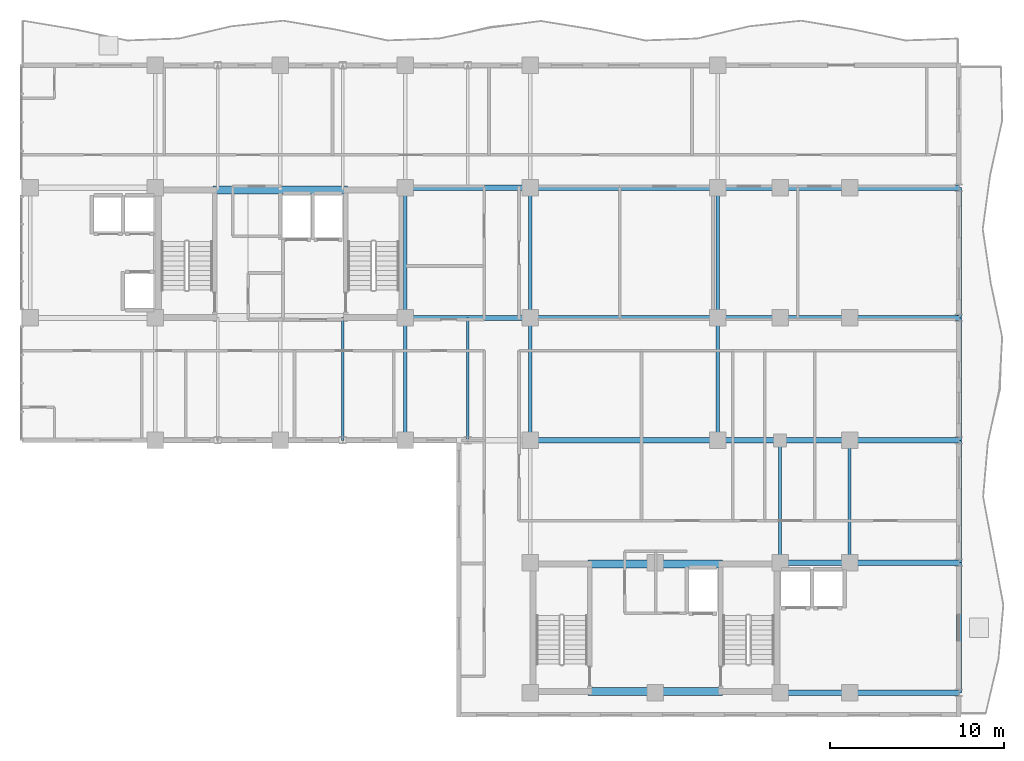
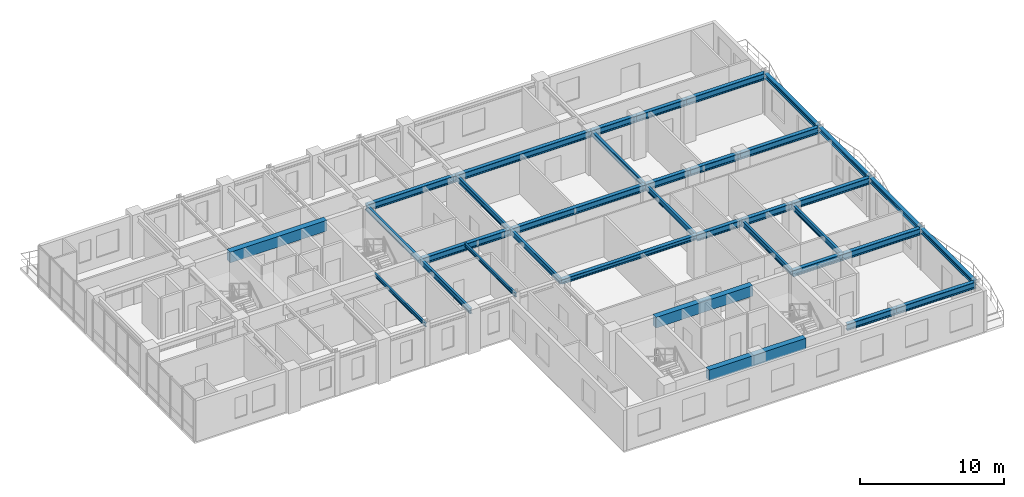
# One storey, part 9 of 20: 35 beams.
"""IFC4 building model written with IfcOpenShell, lengths in metres."""

import ifcopenshell
import ifcopenshell.guid

model = None  # the IFC model being written
_history = None  # IfcOwnerHistory: only IFC2X3 demands one
_inside = {}  # id of a spatial element -> (the spatial element, [elements in it])
_under = {}  # id of a project, library or spatial element -> (it, [spatial elements below it])
_declared = {}  # id of a project -> (the project, [libraries it declares])
_typed = {}  # id of a type object -> (the type object, [elements of that type])
_made_of = {}  # id of a material, layer set ... -> (it, [elements and type objects made of it])


def new_model(schema):
    """Start an empty IFC model of exactly this schema.

    Asked for "IFC4X3", IfcOpenShell would pick the latest addendum, in which some entities
    have other attributes; the version numbers below select the first issue.
    IFC2X3 requires an IfcOwnerHistory on every rooted entity: one is made here for all.
    """
    global model, _history
    if schema == "IFC4X3":
        model = ifcopenshell.file(schema_version=(4, 3, 0, 0))
    else:
        model = ifcopenshell.file(schema=schema)
    _inside.clear()
    _under.clear()
    _declared.clear()
    _typed.clear()
    _made_of.clear()
    _history = None
    if model.schema == "IFC2X3":
        org = make("IfcOrganization", Name="unknown")
        user = make(
            "IfcPersonAndOrganization",
            ThePerson=make("IfcPerson", FamilyName="unknown"),
            TheOrganization=org,
        )
        app = make(
            "IfcApplication",
            ApplicationDeveloper=org,
            Version="unknown",
            ApplicationFullName="unknown",
            ApplicationIdentifier="unknown",
        )
        _history = make(
            "IfcOwnerHistory",
            OwningUser=user,
            OwningApplication=app,
            ChangeAction="ADDED",
            CreationDate=0,
        )
    return model


def make(cls, **values):
    """One entity of the class cls with the attributes given. An attribute that is None is left unset."""
    return model.create_entity(
        cls, **{name: value for name, value in values.items() if value is not None}
    )


def rooted(cls, **values):
    """An entity with a GlobalId (a new one), such as an element, a storey or a relation."""
    return make(cls, GlobalId=ifcopenshell.guid.new(), OwnerHistory=_history, **values)


def si_unit(unit_type, name, prefix=None):
    """IfcSIUnit, for example si_unit("LENGTHUNIT", "METRE", prefix="MILLI")."""
    return make("IfcSIUnit", UnitType=unit_type, Prefix=prefix, Name=name)


def assignment(units):
    """IfcUnitAssignment: the units of a project."""
    return None if units is None else make("IfcUnitAssignment", Units=units)


def point(xyz):
    """IfcCartesianPoint."""
    return None if xyz is None else make("IfcCartesianPoint", Coordinates=xyz)


def direction(xyz):
    """IfcDirection."""
    return None if xyz is None else make("IfcDirection", DirectionRatios=xyz)


def frame(location, z_axis=None, x_axis=None):
    """IfcAxis2Placement3D, a coordinate frame: its origin and axes. An axis left out is left unset."""
    return make(
        "IfcAxis2Placement3D",
        Location=point(location),
        Axis=direction(z_axis),
        RefDirection=direction(x_axis),
    )


def frame_2d(location, x_axis=None):
    """IfcAxis2Placement2D, a coordinate frame in the plane: its origin and x axis."""
    return make(
        "IfcAxis2Placement2D", Location=point(location), RefDirection=direction(x_axis)
    )


def origin():
    """The frame at (0, 0, 0) with its axes left unset."""
    return frame((0.0, 0.0, 0.0))


def origin_2d():
    """The frame at (0, 0) in the plane with its x axis left unset."""
    return frame_2d((0.0, 0.0))


def place(relative_to, where):
    """IfcLocalPlacement: puts the frame where relative to a parent placement (None: the world)."""
    return make(
        "IfcLocalPlacement", PlacementRelTo=relative_to, RelativePlacement=where
    )


def context(
    kind, dimensions, precision=None, world=None, true_north=None, identifier=None
):
    """IfcGeometricRepresentationContext, for example the 3D "Model" context."""
    return make(
        "IfcGeometricRepresentationContext",
        ContextIdentifier=identifier,
        ContextType=kind,
        CoordinateSpaceDimension=dimensions,
        Precision=precision,
        WorldCoordinateSystem=world,
        TrueNorth=true_north,
    )


def subcontext(parent, identifier, kind, view, scale=None):
    """IfcGeometricRepresentationSubContext, for example "Body" below "Model"."""
    return make(
        "IfcGeometricRepresentationSubContext",
        ContextIdentifier=identifier,
        ContextType=kind,
        ParentContext=parent,
        TargetScale=scale,
        TargetView=view,
    )


def project(units=None, contexts=None):
    """IfcProject with its units and contexts."""
    return rooted(
        "IfcProject",
        Name="project",
        RepresentationContexts=contexts,
        UnitsInContext=assignment(units),
    )


def spatial(cls, under=None, at=None, **own):
    """A site, building, storey or space (cls), placed at a placement, below another one or the project."""
    s = rooted(cls, ObjectPlacement=at, **own)
    if under is not None:
        _under.setdefault(under.id(), (under, []))[1].append(s)
    return s


def profile(cls, at=None, kind="AREA", **sizes):
    """A parametric profile (cls). Its sizes go by their IFC names, for example OverallWidth=200.0."""
    return make(cls, ProfileType=kind, Position=at, **sizes)


def rectangle(**sizes):
    """IfcRectangleProfileDef."""
    return profile("IfcRectangleProfileDef", **sizes)


def i_section(**sizes):
    """IfcIShapeProfileDef."""
    return profile("IfcIShapeProfileDef", **sizes)


def extrude(swept, where, along, depth):
    """IfcExtrudedAreaSolid: the profile swept, set in the frame where, extruded along a direction by depth."""
    return make(
        "IfcExtrudedAreaSolid",
        SweptArea=swept,
        Position=where,
        ExtrudedDirection=direction(along),
        Depth=depth,
    )


def shape(context_of_items, identifier, shape_type, items):
    """IfcShapeRepresentation: the items that make up one representation, for example the "Body"."""
    return make(
        "IfcShapeRepresentation",
        ContextOfItems=context_of_items,
        RepresentationIdentifier=identifier,
        RepresentationType=shape_type,
        Items=items,
    )


def source(mapping_origin, context_of_items, identifier, shape_type, items):
    """IfcRepresentationMap: a shape defined once, which mapped items show again and again."""
    return make(
        "IfcRepresentationMap",
        MappingOrigin=mapping_origin,
        MappedRepresentation=shape(context_of_items, identifier, shape_type, items),
    )


def transform(
    local_origin,
    x_axis=None,
    y_axis=None,
    z_axis=None,
    scale=None,
    scale2=None,
    scale3=None,
    uniform=True,
):
    """IfcCartesianTransformationOperator3D, or its non-uniform kind. x_axis, y_axis, z_axis: its Axis1, 2, 3."""
    if uniform:
        return make(
            "IfcCartesianTransformationOperator3D",
            Axis1=direction(x_axis),
            Axis2=direction(y_axis),
            LocalOrigin=point(local_origin),
            Scale=scale,
            Axis3=direction(z_axis),
        )
    return make(
        "IfcCartesianTransformationOperator3DnonUniform",
        Axis1=direction(x_axis),
        Axis2=direction(y_axis),
        LocalOrigin=point(local_origin),
        Scale=scale,
        Axis3=direction(z_axis),
        Scale2=scale2,
        Scale3=scale3,
    )


def mapped(mapping_source, mapping_target):
    """IfcMappedItem: shows the shape of a source again, moved by a transform."""
    return make(
        "IfcMappedItem", MappingSource=mapping_source, MappingTarget=mapping_target
    )


def material(Name=None, Category=None):
    """IfcMaterial."""
    return make("IfcMaterial", Name=Name, Category=Category)


def material_profile(
    of_material, cross_section, Name=None, Category=None, Priority=None
):
    """IfcMaterialProfile: a cross section and its material."""
    return make(
        "IfcMaterialProfile",
        Name=Name,
        Material=of_material,
        Profile=cross_section,
        Priority=Priority,
        Category=Category,
    )


def profile_set(profiles, Name=None, composite=None):
    """IfcMaterialProfileSet."""
    return make(
        "IfcMaterialProfileSet",
        Name=Name,
        MaterialProfiles=profiles,
        CompositeProfile=composite,
    )


def made_of(thing, what):
    """Note that an element or type object is made of a material, layer set ...; save() writes the relation."""
    if what is not None:
        _made_of.setdefault(what.id(), (what, []))[1].append(thing)
    return thing


def type_object(cls, material=None, **own):
    """A type object (cls), such as IfcWallType, which elements share."""
    return made_of(rooted(cls, **own), material)


def element(
    cls,
    number,
    at=None,
    inside=None,
    cuts=None,
    type_object=None,
    material=None,
    context=None,
    identifier="Body",
    shape_type=None,
    held_by="IfcProductDefinitionShape",
    body=None,
    shapes=None,
    **own,
):
    """One element of the class cls, such as IfcWall. Its Tag is "e" and its number.

    at: its placement. inside: the storey or other place that contains it. cuts: it is an
    opening in that element (IfcRelVoidsElement). A single representation is given by context,
    identifier, shape_type and body (its items); several are given by shapes. held_by: the class
    of the entity that holds the representations. save() writes the other relations.
    """
    e = rooted(cls, Tag="e%d" % number, ObjectPlacement=at, **own)
    if body is not None:
        shapes = [shape(context, identifier, shape_type, body)]
    if shapes is not None:
        e.Representation = make(held_by, Representations=shapes)
    if inside is not None:
        _inside.setdefault(inside.id(), (inside, []))[1].append(e)
    if cuts is not None:
        rooted(
            "IfcRelVoidsElement", RelatingBuildingElement=cuts, RelatedOpeningElement=e
        )
    if type_object is not None:
        _typed.setdefault(type_object.id(), (type_object, []))[1].append(e)
    return made_of(e, material)


def aggregate(whole, parts):
    """IfcRelAggregates: a whole, such as a stair, and the parts it consists of."""
    return rooted("IfcRelAggregates", RelatingObject=whole, RelatedObjects=parts)


def save(model, path):
    """Write the relations noted so far, then the file.

    IfcRelAggregates (storeys below a building ...), IfcRelContainedInSpatialStructure (elements
    in a storey), IfcRelDefinesByType, IfcRelAssociatesMaterial and IfcRelDeclares: one each for
    every whole, place, type object, material and project.
    """
    for whole, parts in _under.values():
        aggregate(whole, parts)
    for where, things in _inside.values():
        rooted(
            "IfcRelContainedInSpatialStructure",
            RelatedElements=things,
            RelatingStructure=where,
        )
    for kind, things in _typed.values():
        rooted("IfcRelDefinesByType", RelatedObjects=things, RelatingType=kind)
    for what, things in _made_of.values():
        rooted("IfcRelAssociatesMaterial", RelatedObjects=things, RelatingMaterial=what)
    for by, libraries in _declared.values():
        rooted("IfcRelDeclares", RelatingContext=by, RelatedDefinitions=libraries)
    model.write(path)


model = new_model("IFC4")

# Units and contexts
model_context = context("Model", 3, precision=1e-05, world=origin(), true_north=direction((0.0, 1.0)))
body_context = subcontext(model_context, "Body", "Model", "MODEL_VIEW")
ifc_project = project(units=[si_unit("LENGTHUNIT", "METRE"), si_unit("AREAUNIT", "SQUARE_METRE"), si_unit("VOLUMEUNIT", "CUBIC_METRE"), si_unit("PLANEANGLEUNIT", "RADIAN"), si_unit("MASSUNIT", "GRAM", prefix="KILO")], contexts=[model_context])

# Site, building, storey
site_placement = place(None, origin())
site = spatial("IfcSite", under=ifc_project, at=site_placement, CompositionType="ELEMENT")
building_placement = place(site_placement, origin())
building = spatial("IfcBuilding", under=site, at=building_placement, Name="Kaliganga Portal Commons", CompositionType="ELEMENT")
storey_placement = place(building_placement, frame((0.0, 0.0, 216.60009765625)))
storey = spatial("IfcBuildingStorey", under=building, at=storey_placement, Name="L55", CompositionType="ELEMENT", Elevation=216.60009765625)

# Beams
ifc_material_1 = material(Name="Concrete C50/60", Category="concrete")
ifc_material_profile_1 = material_profile(ifc_material_1, rectangle(XDim=0.449951171875, YDim=0.89990234375, at=origin_2d()), Name="RC 450x900")
ifc_profile_set_1 = profile_set([ifc_material_profile_1], Name="Concrete C50/60")
beam_type_1 = type_object("IfcBeamType", Name="BM-CPL-900", PredefinedType="LINTEL", material=ifc_profile_set_1)
shared_shape_1 = source(origin(), body_context, "Body", "SweptSolid", [
    extrude(rectangle(XDim=0.449951171875, YDim=0.89990234375, at=origin_2d()), origin(), (0.0, 0.0, 1.0), 7.739990234375),
])
for number, where, z_axis, x_axis, name in (
    (1, (17.72998046875, 36.02490234375, 3.02001953125), (1.0, 0.0, 0.0), (0.0, 1.0, 0.0), "BM CPL COREA L55 N"),
    (2, (39.330078125, 7.125, 3.02001953125), (1.0, 0.0, 0.0), (0.0, 1.0, 0.0), "BM CPL COREB L55 S"),
    (3, (39.330078125, 14.47509765625, 3.02001953125), (1.0, 0.0, 0.0), (0.0, 1.0, 0.0), "BM CPL COREB L55 N"),
):
    element("IfcBeam", number, at=place(storey_placement, frame(where, z_axis=z_axis, x_axis=x_axis)), inside=storey, type_object=beam_type_1, Name=name, PredefinedType="LINTEL", context=body_context, shape_type="MappedRepresentation", body=[
        mapped(shared_shape_1, transform((0.0, 0.0, 0.0), x_axis=(1.0, 0.0, 0.0), y_axis=(0.0, 1.0, 0.0), z_axis=(0.0, 0.0, 1.0), scale=1.0)),
    ])
ifc_material_2 = material(Name="Structural steel S355J2", Category="steel")
ifc_material_profile_2 = material_profile(ifc_material_2, i_section(OverallWidth=0.18994140625, OverallDepth=0.449951171875, WebThickness=0.009521484375, FlangeThickness=0.0146484375, FilletRadius=0.02099609375, at=origin_2d()), Name="IPE 450")
ifc_profile_set_2 = profile_set([ifc_material_profile_2], Name="Structural steel S355J2 wide-flange")
beam_type_2 = type_object("IfcBeamType", Name="BM-FLR-450", PredefinedType="BEAM", material=ifc_profile_set_2)
shared_shape_2 = source(origin(), body_context, "Body", "SweptSolid", [
    extrude(i_section(OverallWidth=0.18994140625, OverallDepth=0.449951171875, WebThickness=0.009521484375, FlangeThickness=0.0146484375, FilletRadius=0.02099609375, at=origin_2d()), origin(), (0.0, 0.0, 1.0), 7.5),
])
for number, where, z_axis, x_axis, name in (
    (4, (28.800048828125, 28.64990234375, 3.244873046875), (0.0, 1.0, 0.0), (-1.0, 0.0, 0.0), "BM G L55 AM288"),
    (5, (36.0, 28.64990234375, 3.244873046875), (0.0, 1.0, 0.0), (-1.0, 0.0, 0.0), "BM G L55 AM360"),
    (6, (46.800048828125, 28.64990234375, 3.244873046875), (0.0, 1.0, 0.0), (-1.0, 0.0, 0.0), "BM G L55 AM468"),
):
    element("IfcBeam", number, at=place(storey_placement, frame(where, z_axis=z_axis, x_axis=x_axis)), inside=storey, type_object=beam_type_2, Name=name, PredefinedType="BEAM", context=body_context, shape_type="MappedRepresentation", body=[
        mapped(shared_shape_2, transform((0.0, 0.0, 0.0), x_axis=(1.0, 0.0, 0.0), y_axis=(0.0, 1.0, 0.0), z_axis=(0.0, 0.0, 1.0), scale=1.0)),
    ])
shared_shape_3 = source(origin(), body_context, "Body", "SweptSolid", [
    extrude(i_section(OverallWidth=0.18994140625, OverallDepth=0.449951171875, WebThickness=0.009521484375, FlangeThickness=0.0146484375, FilletRadius=0.02099609375, at=origin_2d()), origin(), (0.0, 0.0, 1.0), 7.050048828125),
])
for number, where, z_axis, x_axis, name in (
    (7, (50.39990234375, 14.550048828125, 3.244873046875), (0.0, 1.0, 0.0), (-1.0, 0.0, 0.0), "BM G L55 BNK504"),
    (8, (54.39990234375, 14.550048828125, 3.244873046875), (0.0, 1.0, 0.0), (-1.0, 0.0, 0.0), "BM G L55 BNK544"),
):
    element("IfcBeam", number, at=place(storey_placement, frame(where, z_axis=z_axis, x_axis=x_axis)), inside=storey, type_object=beam_type_2, Name=name, PredefinedType="BEAM", context=body_context, shape_type="MappedRepresentation", body=[
        mapped(shared_shape_3, transform((0.0, 0.0, 0.0), x_axis=(1.0, 0.0, 0.0), y_axis=(0.0, 1.0, 0.0), z_axis=(0.0, 0.0, 1.0), scale=1.0)),
    ])
shared_shape_4 = source(origin(), body_context, "Body", "SweptSolid", [
    extrude(i_section(OverallWidth=0.18994140625, OverallDepth=0.449951171875, WebThickness=0.009521484375, FlangeThickness=0.0146484375, FilletRadius=0.02099609375, at=origin_2d()), origin(), (0.0, 0.0, 1.0), 7.0498046875),
])
for number, where, z_axis, x_axis, name in (
    (9, (28.800048828125, 21.60009765625, 3.244873046875), (0.0, 1.0, 0.0), (-1.0, 0.0, 0.0), "BM G L55 AS288"),
    (10, (36.0, 21.60009765625, 3.244873046875), (0.0, 1.0, 0.0), (-1.0, 0.0, 0.0), "BM G L55 AS360"),
    (11, (46.800048828125, 21.60009765625, 3.244873046875), (0.0, 1.0, 0.0), (-1.0, 0.0, 0.0), "BM G L55 AS468"),
):
    element("IfcBeam", number, at=place(storey_placement, frame(where, z_axis=z_axis, x_axis=x_axis)), inside=storey, type_object=beam_type_2, Name=name, PredefinedType="BEAM", context=body_context, shape_type="MappedRepresentation", body=[
        mapped(shared_shape_4, transform((0.0, 0.0, 0.0), x_axis=(1.0, 0.0, 0.0), y_axis=(0.0, 1.0, 0.0), z_axis=(0.0, 0.0, 1.0), scale=1.0)),
    ])
ifc_material_profile_3 = material_profile(ifc_material_2, i_section(OverallWidth=0.14990234375, OverallDepth=0.300048828125, WebThickness=0.007080078125, FlangeThickness=0.0107421875, FilletRadius=0.014892578125, at=origin_2d()), Name="IPE 300")
ifc_profile_set_3 = profile_set([ifc_material_profile_3], Name="Structural steel S355J2 wide-flange")
beam_type_3 = type_object("IfcBeamType", Name="BM-JST-300", PredefinedType="JOIST", material=ifc_profile_set_3)
shared_shape_5 = source(origin(), body_context, "Body", "SweptSolid", [
    extrude(i_section(OverallWidth=0.14990234375, OverallDepth=0.300048828125, WebThickness=0.007080078125, FlangeThickness=0.0107421875, FilletRadius=0.014892578125, at=origin_2d()), origin(), (0.0, 0.0, 1.0), 7.0498046875),
])
beam_1_placement = place(storey_placement, frame((32.39990234375, 21.60009765625, 3.31982421875), z_axis=(0.0, 1.0, 0.0), x_axis=(-1.0, 0.0, 0.0)))
element("IfcBeam", 12, at=beam_1_placement, inside=storey, type_object=beam_type_3, Name="BM G L55 AS324", PredefinedType="JOIST", context=body_context, shape_type="MappedRepresentation", body=[
    mapped(shared_shape_5, transform((0.0, 0.0, 0.0), x_axis=(1.0, 0.0, 0.0), y_axis=(0.0, 1.0, 0.0), z_axis=(0.0, 0.0, 1.0), scale=1.0)),
])
ifc_material_profile_4 = material_profile(ifc_material_2, i_section(OverallWidth=0.300048828125, OverallDepth=0.39990234375, WebThickness=0.013427734375, FlangeThickness=0.02392578125, FilletRadius=0.027099609375, at=origin_2d()), Name="HE 400 B")
ifc_profile_set_4 = profile_set([ifc_material_profile_4], Name="Structural steel S355J2 wide-flange")
beam_type_4 = type_object("IfcBeamType", Name="BM-SPAND-400", PredefinedType="SPANDREL", material=ifc_profile_set_4)
shared_shape_6 = source(origin(), body_context, "Body", "SweptSolid", [
    extrude(i_section(OverallWidth=0.300048828125, OverallDepth=0.39990234375, WebThickness=0.013427734375, FlangeThickness=0.02392578125, FilletRadius=0.027099609375, at=origin_2d()), origin(), (0.0, 0.0, 1.0), 10.800048828125),
])
beam_2_placement = place(storey_placement, frame((36.0, 21.60009765625, 3.27001953125), z_axis=(1.0, 0.0, 0.0), x_axis=(0.0, 1.0, 0.0)))
element("IfcBeam", 13, at=beam_2_placement, inside=storey, type_object=beam_type_4, Name="BM SP L55 AS 7", PredefinedType="SPANDREL", context=body_context, shape_type="MappedRepresentation", body=[
    mapped(shared_shape_6, transform((0.0, 0.0, 0.0), x_axis=(1.0, 0.0, 0.0), y_axis=(0.0, 1.0, 0.0), z_axis=(0.0, 0.0, 1.0), scale=1.0)),
])
ifc_material_profile_5 = material_profile(ifc_material_2, i_section(OverallWidth=0.300048828125, OverallDepth=0.550048828125, WebThickness=0.014892578125, FlangeThickness=0.029052734375, FilletRadius=0.027099609375, at=origin_2d()), Name="HE 550 B")
ifc_profile_set_5 = profile_set([ifc_material_profile_5], Name="Structural steel S355J2 wide-flange")
beam_type_5 = type_object("IfcBeamType", Name="BM-GIRD-550", PredefinedType="USERDEFINED", material=ifc_profile_set_5)
shared_shape_7 = source(origin(), body_context, "Body", "SweptSolid", [
    extrude(i_section(OverallWidth=0.300048828125, OverallDepth=0.550048828125, WebThickness=0.014892578125, FlangeThickness=0.029052734375, FilletRadius=0.027099609375, at=origin_2d()), origin(), (0.0, 0.0, 1.0), 7.199951171875),
])
for number, where, z_axis, x_axis, name in (
    (14, (28.800048828125, 28.64990234375, 3.19482421875), (1.0, 0.0, 0.0), (0.0, 1.0, 0.0), "BM G L55 WAE_S 1"),
    (15, (28.800048828125, 36.14990234375, 3.19482421875), (1.0, 0.0, 0.0), (0.0, 1.0, 0.0), "BM G L55 WAE_N 1"),
):
    element("IfcBeam", number, at=place(storey_placement, frame(where, z_axis=z_axis, x_axis=x_axis)), inside=storey, type_object=beam_type_5, Name=name, ObjectType="GIRDER", PredefinedType="USERDEFINED", context=body_context, shape_type="MappedRepresentation", body=[
        mapped(shared_shape_7, transform((0.0, 0.0, 0.0), x_axis=(1.0, 0.0, 0.0), y_axis=(0.0, 1.0, 0.0), z_axis=(0.0, 0.0, 1.0), scale=1.0)),
    ])
shared_shape_8 = source(origin(), body_context, "Body", "SweptSolid", [
    extrude(i_section(OverallWidth=0.300048828125, OverallDepth=0.550048828125, WebThickness=0.014892578125, FlangeThickness=0.029052734375, FilletRadius=0.027099609375, at=origin_2d()), origin(), (0.0, 0.0, 1.0), 10.800048828125),
])
for number, where, z_axis, x_axis, name in (
    (16, (36.0, 28.64990234375, 3.19482421875), (1.0, 0.0, 0.0), (0.0, 1.0, 0.0), "BM G L55 WAE_S 2"),
    (17, (36.0, 36.14990234375, 3.19482421875), (1.0, 0.0, 0.0), (0.0, 1.0, 0.0), "BM G L55 WAE_N 2"),
):
    element("IfcBeam", number, at=place(storey_placement, frame(where, z_axis=z_axis, x_axis=x_axis)), inside=storey, type_object=beam_type_5, Name=name, ObjectType="GIRDER", PredefinedType="USERDEFINED", context=body_context, shape_type="MappedRepresentation", body=[
        mapped(shared_shape_8, transform((0.0, 0.0, 0.0), x_axis=(1.0, 0.0, 0.0), y_axis=(0.0, 1.0, 0.0), z_axis=(0.0, 0.0, 1.0), scale=1.0)),
    ])
shared_shape_9 = source(origin(), body_context, "Body", "SweptSolid", [
    extrude(i_section(OverallWidth=0.14990234375, OverallDepth=0.300048828125, WebThickness=0.007080078125, FlangeThickness=0.0107421875, FilletRadius=0.014892578125, at=origin_2d()), origin(), (0.0, 0.0, 1.0), 7.074951171875),
])
beam_3_placement = place(storey_placement, frame((25.199951171875, 21.60009765625, 3.31982421875), z_axis=(0.0, 1.0, 0.0), x_axis=(-1.0, 0.0, 0.0)))
element("IfcBeam", 18, at=beam_3_placement, inside=storey, type_object=beam_type_3, Name="BM G L55 AS252", PredefinedType="JOIST", context=body_context, shape_type="MappedRepresentation", body=[
    mapped(shared_shape_9, transform((0.0, 0.0, 0.0), x_axis=(1.0, 0.0, 0.0), y_axis=(0.0, 1.0, 0.0), z_axis=(0.0, 0.0, 1.0), scale=1.0)),
])
shared_shape_10 = source(origin(), body_context, "Body", "SweptSolid", [
    extrude(i_section(OverallWidth=0.300048828125, OverallDepth=0.550048828125, WebThickness=0.014892578125, FlangeThickness=0.029052734375, FilletRadius=0.027099609375, at=origin_2d()), origin(), (0.0, 0.0, 1.0), 4.0),
])
for number, where, z_axis, x_axis, name in (
    (19, (50.39990234375, 7.050048828125, 3.19482421875), (1.0, 0.0, 0.0), (0.0, 1.0, 0.0), "BM G L55 BKE70 1"),
    (20, (50.39990234375, 14.550048828125, 3.19482421875), (1.0, 0.0, 0.0), (0.0, 1.0, 0.0), "BM G L55 BKE146 1"),
    (21, (50.39990234375, 21.60009765625, 3.19482421875), (1.0, 0.0, 0.0), (0.0, 1.0, 0.0), "BM G L55 BKE216 2"),
    (22, (50.39990234375, 28.64990234375, 3.19482421875), (1.0, 0.0, 0.0), (0.0, 1.0, 0.0), "BM G L55 BKE286 2"),
    (23, (50.39990234375, 36.14990234375, 3.19482421875), (1.0, 0.0, 0.0), (0.0, 1.0, 0.0), "BM G L55 BKE362 2"),
):
    element("IfcBeam", number, at=place(storey_placement, frame(where, z_axis=z_axis, x_axis=x_axis)), inside=storey, type_object=beam_type_5, Name=name, ObjectType="GIRDER", PredefinedType="USERDEFINED", context=body_context, shape_type="MappedRepresentation", body=[
        mapped(shared_shape_10, transform((0.0, 0.0, 0.0), x_axis=(1.0, 0.0, 0.0), y_axis=(0.0, 1.0, 0.0), z_axis=(0.0, 0.0, 1.0), scale=1.0)),
    ])
shared_shape_11 = source(origin(), body_context, "Body", "SweptSolid", [
    extrude(i_section(OverallWidth=0.300048828125, OverallDepth=0.550048828125, WebThickness=0.014892578125, FlangeThickness=0.029052734375, FilletRadius=0.027099609375, at=origin_2d()), origin(), (0.0, 0.0, 1.0), 6.300048828125),
])
for number, where, z_axis, x_axis, name in (
    (24, (54.39990234375, 7.050048828125, 3.19482421875), (1.0, 0.0, 0.0), (0.0, 1.0, 0.0), "BM G L55 BKE70 2"),
    (25, (54.39990234375, 14.550048828125, 3.19482421875), (1.0, 0.0, 0.0), (0.0, 1.0, 0.0), "BM G L55 BKE146 2"),
    (26, (54.39990234375, 21.60009765625, 3.19482421875), (1.0, 0.0, 0.0), (0.0, 1.0, 0.0), "BM G L55 BKE216 3"),
    (27, (54.39990234375, 28.64990234375, 3.19482421875), (1.0, 0.0, 0.0), (0.0, 1.0, 0.0), "BM G L55 BKE286 3"),
    (28, (54.39990234375, 36.14990234375, 3.19482421875), (1.0, 0.0, 0.0), (0.0, 1.0, 0.0), "BM G L55 BKE362 3"),
):
    element("IfcBeam", number, at=place(storey_placement, frame(where, z_axis=z_axis, x_axis=x_axis)), inside=storey, type_object=beam_type_5, Name=name, ObjectType="GIRDER", PredefinedType="USERDEFINED", context=body_context, shape_type="MappedRepresentation", body=[
        mapped(shared_shape_11, transform((0.0, 0.0, 0.0), x_axis=(1.0, 0.0, 0.0), y_axis=(0.0, 1.0, 0.0), z_axis=(0.0, 0.0, 1.0), scale=1.0)),
    ])
shared_shape_12 = source(origin(), body_context, "Body", "SweptSolid", [
    extrude(i_section(OverallWidth=0.300048828125, OverallDepth=0.550048828125, WebThickness=0.014892578125, FlangeThickness=0.029052734375, FilletRadius=0.027099609375, at=origin_2d()), origin(), (0.0, 0.0, 1.0), 3.599853515625),
])
for number, where, z_axis, x_axis, name in (
    (29, (46.800048828125, 21.60009765625, 3.19482421875), (1.0, 0.0, 0.0), (0.0, 1.0, 0.0), "BM G L55 BKE216 1"),
    (30, (46.800048828125, 28.64990234375, 3.19482421875), (1.0, 0.0, 0.0), (0.0, 1.0, 0.0), "BM G L55 BKE286 1"),
    (31, (46.800048828125, 36.14990234375, 3.19482421875), (1.0, 0.0, 0.0), (0.0, 1.0, 0.0), "BM G L55 BKE362 1"),
):
    element("IfcBeam", number, at=place(storey_placement, frame(where, z_axis=z_axis, x_axis=x_axis)), inside=storey, type_object=beam_type_5, Name=name, ObjectType="GIRDER", PredefinedType="USERDEFINED", context=body_context, shape_type="MappedRepresentation", body=[
        mapped(shared_shape_12, transform((0.0, 0.0, 0.0), x_axis=(1.0, 0.0, 0.0), y_axis=(0.0, 1.0, 0.0), z_axis=(0.0, 0.0, 1.0), scale=1.0)),
    ])
shared_shape_13 = source(origin(), body_context, "Body", "SweptSolid", [
    extrude(i_section(OverallWidth=0.300048828125, OverallDepth=0.39990234375, WebThickness=0.013427734375, FlangeThickness=0.02392578125, FilletRadius=0.027099609375, at=origin_2d()), origin(), (0.0, 0.0, 1.0), 7.5),
])
for number, where, z_axis, x_axis, name in (
    (32, (60.699951171875, 7.050048828125, 3.27001953125), (0.0, 1.0, 0.0), (-1.0, 0.0, 0.0), "BM SP L55 BE 1"),
    (33, (60.699951171875, 28.64990234375, 3.27001953125), (0.0, 1.0, 0.0), (-1.0, 0.0, 0.0), "BM SP L55 BE 4"),
):
    element("IfcBeam", number, at=place(storey_placement, frame(where, z_axis=z_axis, x_axis=x_axis)), inside=storey, type_object=beam_type_4, Name=name, PredefinedType="SPANDREL", context=body_context, shape_type="MappedRepresentation", body=[
        mapped(shared_shape_13, transform((0.0, 0.0, 0.0), x_axis=(1.0, 0.0, 0.0), y_axis=(0.0, 1.0, 0.0), z_axis=(0.0, 0.0, 1.0), scale=1.0)),
    ])
shared_shape_14 = source(origin(), body_context, "Body", "SweptSolid", [
    extrude(i_section(OverallWidth=0.300048828125, OverallDepth=0.39990234375, WebThickness=0.013427734375, FlangeThickness=0.02392578125, FilletRadius=0.027099609375, at=origin_2d()), origin(), (0.0, 0.0, 1.0), 7.050048828125),
])
beam_4_placement = place(storey_placement, frame((60.699951171875, 14.550048828125, 3.27001953125), z_axis=(0.0, 1.0, 0.0), x_axis=(-1.0, 0.0, 0.0)))
element("IfcBeam", 34, at=beam_4_placement, inside=storey, type_object=beam_type_4, Name="BM SP L55 BE 2", PredefinedType="SPANDREL", context=body_context, shape_type="MappedRepresentation", body=[
    mapped(shared_shape_14, transform((0.0, 0.0, 0.0), x_axis=(1.0, 0.0, 0.0), y_axis=(0.0, 1.0, 0.0), z_axis=(0.0, 0.0, 1.0), scale=1.0)),
])
shared_shape_15 = source(origin(), body_context, "Body", "SweptSolid", [
    extrude(i_section(OverallWidth=0.300048828125, OverallDepth=0.39990234375, WebThickness=0.013427734375, FlangeThickness=0.02392578125, FilletRadius=0.027099609375, at=origin_2d()), origin(), (0.0, 0.0, 1.0), 7.0498046875),
])
beam_5_placement = place(storey_placement, frame((60.699951171875, 21.60009765625, 3.27001953125), z_axis=(0.0, 1.0, 0.0), x_axis=(-1.0, 0.0, 0.0)))
element("IfcBeam", 35, at=beam_5_placement, inside=storey, type_object=beam_type_4, Name="BM SP L55 BE 3", PredefinedType="SPANDREL", context=body_context, shape_type="MappedRepresentation", body=[
    mapped(shared_shape_15, transform((0.0, 0.0, 0.0), x_axis=(1.0, 0.0, 0.0), y_axis=(0.0, 1.0, 0.0), z_axis=(0.0, 0.0, 1.0), scale=1.0)),
])

save(model, "model.ifc")
